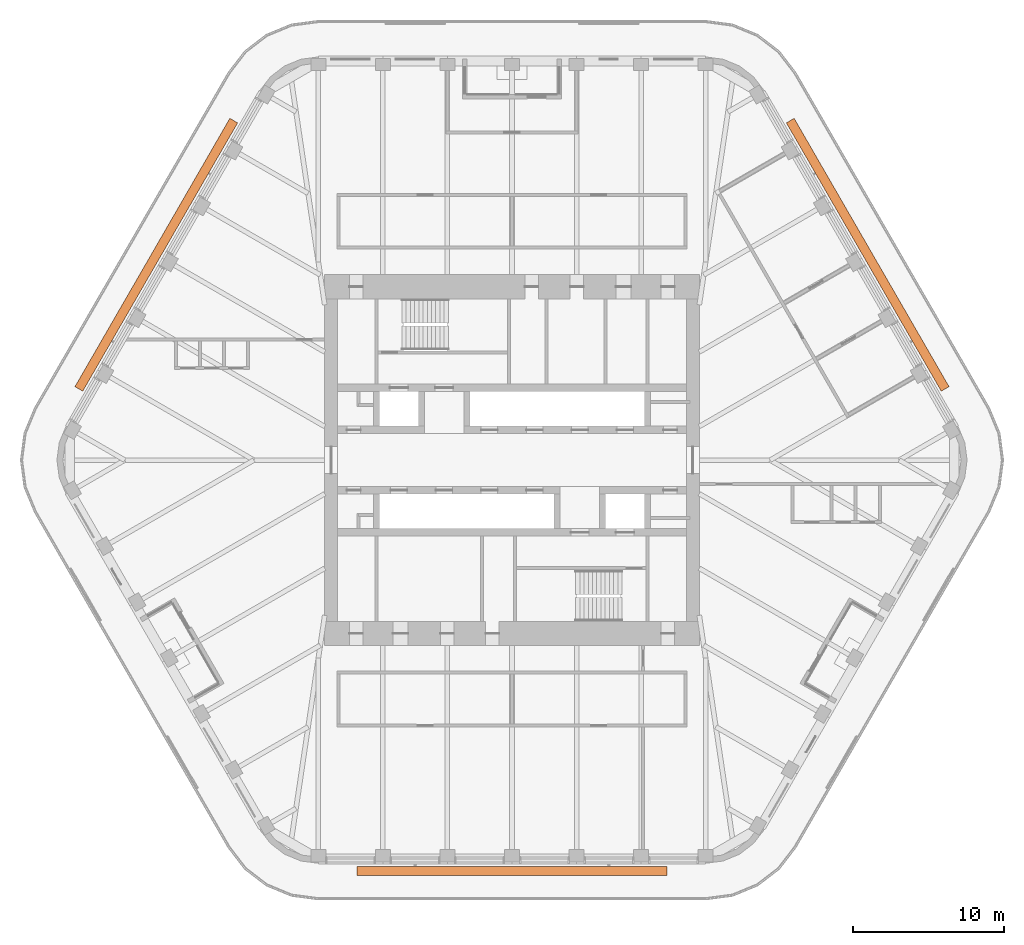
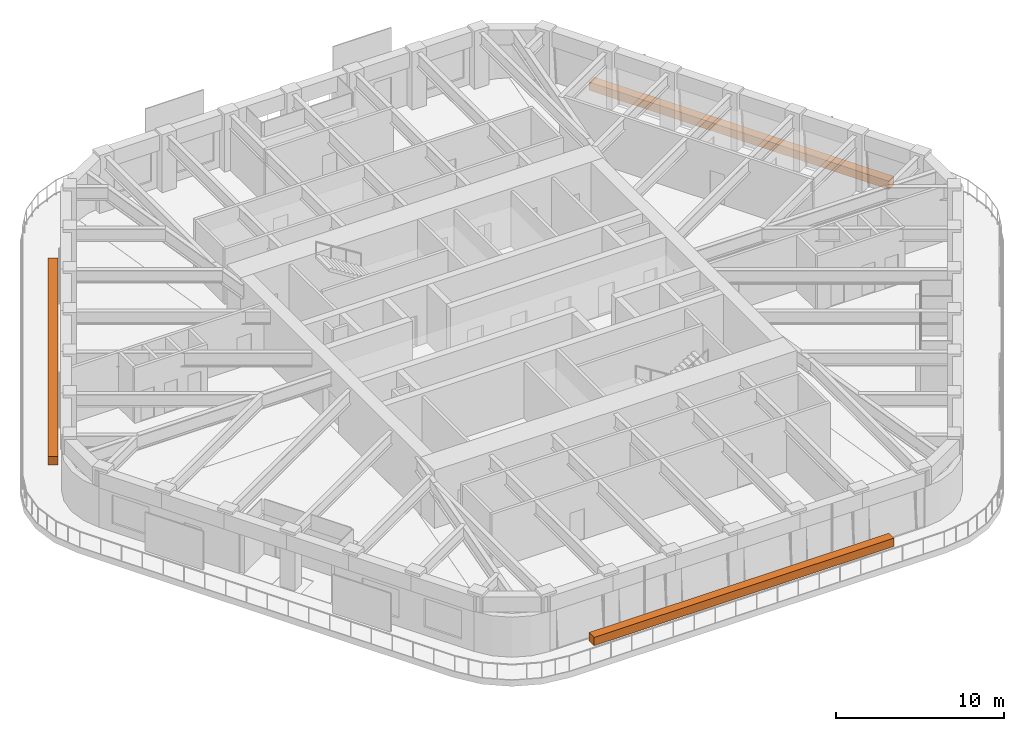
# One storey, part 19 of 19: 3 proxies.
"""IFC4 building model written with IfcOpenShell, lengths in metres."""

from ifc_helpers import new_model, si_unit, direction, frame, origin, origin_2d, place, context, subcontext, project, spatial, rectangle, extrude, material, element, save


model = new_model("IFC4")

# Units and contexts
model_context = context("Model", 3, precision=1e-05, world=origin(), true_north=direction((0.0, 1.0)))
body_context = subcontext(model_context, "Body", "Model", "MODEL_VIEW")
ifc_project = project(units=[si_unit("LENGTHUNIT", "METRE"), si_unit("AREAUNIT", "SQUARE_METRE"), si_unit("VOLUMEUNIT", "CUBIC_METRE"), si_unit("PLANEANGLEUNIT", "RADIAN"), si_unit("MASSUNIT", "GRAM", prefix="KILO")], contexts=[model_context])

# Site, building, storey
site_placement = place(None, origin())
site = spatial("IfcSite", under=ifc_project, at=site_placement, CompositionType="ELEMENT")
building_placement = place(site_placement, origin())
building = spatial("IfcBuilding", under=site, at=building_placement, Name="Tarfa Lantern Tower", CompositionType="ELEMENT")
storey_placement = place(building_placement, frame((0.0, 0.0, 345.10009765625)))
storey = spatial("IfcBuildingStorey", under=building, at=storey_placement, Name="L78", CompositionType="ELEMENT", Elevation=345.10009765625)

# Proxies
ifc_material = material(Name="Planting bed")
for number, where, z_axis, x_axis, name in (
    (1, (23.59912109375, 13.625, -0.000244140625), (0.0, 0.0, 1.0), (-0.5, 0.866025403784, 0.0), "Balcony planter"),
    (2, (-23.59912109375, 13.625, -0.000244140625), (0.0, 0.0, 1.0), (-0.5, -0.866025403784, 0.0), "Balcony planter"),
    (3, (0.0, -27.25, -0.000244140625), (0.0, 0.0, 1.0), (1.0, 0.0, 0.0), "Balcony planter"),
):
    element("IfcBuildingElementProxy", number, at=place(storey_placement, frame(where, z_axis=z_axis, x_axis=x_axis)), inside=storey, material=ifc_material, Name=name, ObjectType="PLANTER", PredefinedType="USERDEFINED", context=body_context, shape_type="SweptSolid", body=[
        extrude(rectangle(XDim=20.5537109375, YDim=0.60009765625, at=origin_2d()), origin(), (0.0, 0.0, 1.0), 0.60009765625),
    ])

save(model, "model.ifc")
